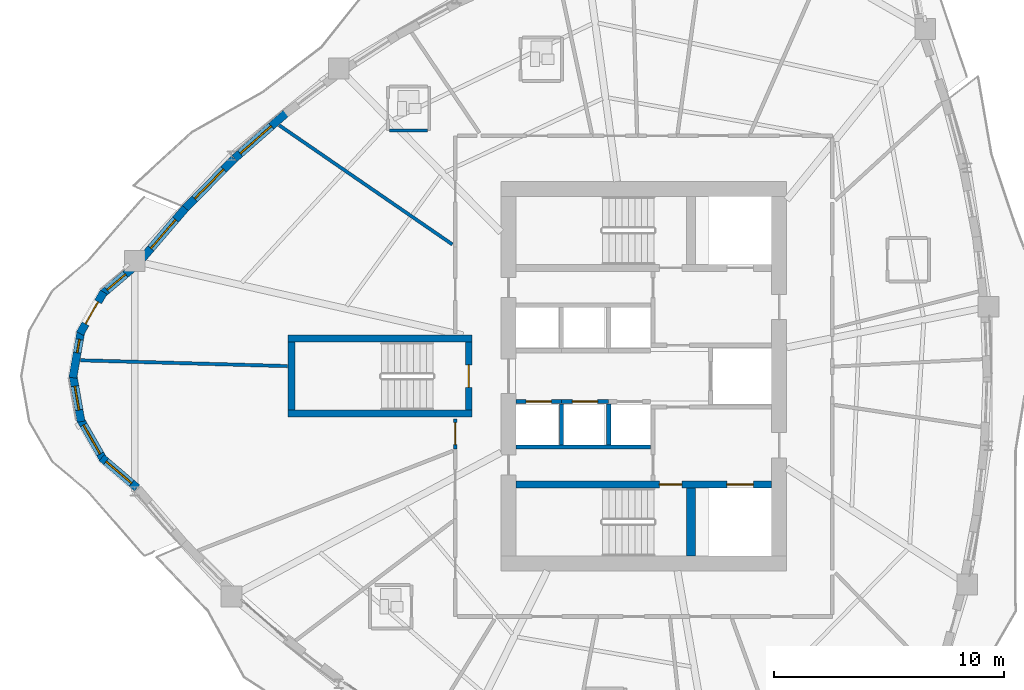
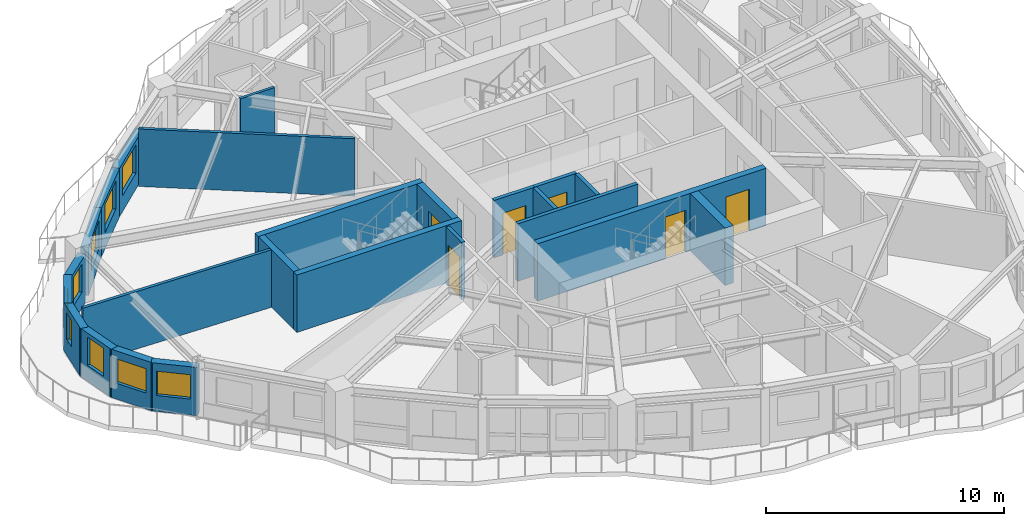
# One storey, part 6 of 15: 24 walls, 8 windows, 7 doors, 15 openings.
"""IFC4 building model written with IfcOpenShell, lengths in metres."""

from ifc_helpers import new_model, si_unit, direction, frame, frame_2d, origin, place, context, subcontext, project, spatial, rectangle, extrude, source, transform, mapped, material, layer, layer_set, type_object, element, fill, save


model = new_model("IFC4")

# Units and contexts
model_context = context("Model", 3, precision=1e-05, world=origin(), true_north=direction((0.0, 1.0)))
body_context = subcontext(model_context, "Body", "Model", "MODEL_VIEW")
ifc_project = project(units=[si_unit("LENGTHUNIT", "METRE"), si_unit("AREAUNIT", "SQUARE_METRE"), si_unit("VOLUMEUNIT", "CUBIC_METRE"), si_unit("PLANEANGLEUNIT", "RADIAN"), si_unit("MASSUNIT", "GRAM", prefix="KILO")], contexts=[model_context])

# Site, building, storey
site_placement = place(None, origin())
site = spatial("IfcSite", under=ifc_project, at=site_placement, CompositionType="ELEMENT")
building_placement = place(site_placement, origin())
building = spatial("IfcBuilding", under=site, at=building_placement, Name="Qafzar Sky-Pleat Residences", CompositionType="ELEMENT")
storey_placement = place(building_placement, frame((0.0, 0.0, 70.39990234375)))
storey = spatial("IfcBuildingStorey", under=building, at=storey_placement, Name="L20", CompositionType="ELEMENT", Elevation=70.39990234375)

# Wall, opening, door
ifc_material_1 = material(Name="Acoustic gypsum plasterboard partition", Category="gypsum")
ifc_layer_1 = layer(ifc_material_1, 0.159912109375)
ifc_layer_set_1 = layer_set([ifc_layer_1], Name="Acoustic gypsum plasterboard partition")
wall_type_1 = type_object("IfcWallType", Name="PART-COR-160", PredefinedType="PARTITIONING", material=ifc_layer_set_1)
wall_1_placement = place(storey_placement, frame((22.169921875, 22.8291015625, 0.0), z_axis=(0.0, 0.0, 1.0), x_axis=(0.0, 1.0, 0.0)))
wall_1 = element("IfcWall", 1, at=wall_1_placement, inside=storey, type_object=wall_type_1, Name="L20 Partition Wall PART-L20-PW-024", PredefinedType="PARTITIONING", context=body_context, shape_type="SweptSolid", body=[
    extrude(rectangle(XDim=1.32080078125, YDim=0.159912109375, at=frame_2d((0.660400390625, 0.0))), origin(), (0.0, 0.0, 1.0), 2.9501953125),
])
opening_1_placement = place(wall_1_placement, frame((0.198486328125, 0.0, 0.0)))
opening_1 = element("IfcOpeningElement", 2, at=opening_1_placement, cuts=wall_1, Name="Opening ID-06", PredefinedType="OPENING", context=body_context, shape_type="SweptSolid", body=[
    extrude(rectangle(XDim=0.9599609375, YDim=2.10009765625, at=frame_2d((0.47998046875, 1.050048828125))), frame((0.0, 0.08984375, 0.0), z_axis=(0.0, -1.0, 0.0), x_axis=(1.0, 0.0, 0.0)), (0.0, 0.0, 1.0), 0.179931640625),
])
ifc_material_2 = material(Name="Timber-faced fire door", Category="wood")
door_type_1 = type_object("IfcDoorType", Name="DR-STD-960", OperationType="NOTDEFINED", PredefinedType="DOOR", material=ifc_material_2)
shared_shape_1 = source(origin(), body_context, "Body", "SweptSolid", [
    extrude(rectangle(XDim=0.9599609375, YDim=2.10009765625, at=frame_2d((0.47998046875, 1.050048828125))), frame((0.0, 0.02490234375, 0.0), z_axis=(0.0, -1.0, 0.0), x_axis=(1.0, 0.0, 0.0)), (0.0, 0.0, 1.0), 0.050048828125),
])
door_1_placement = place(opening_1_placement, origin())
door_1 = element("IfcDoor", 3, at=door_1_placement, inside=storey, type_object=door_type_1, Name="L20 Faculty Research Office Door", OperationType="SINGLE_SWING_RIGHT", OverallHeight=2.10009765625, OverallWidth=0.9599609375, PredefinedType="DOOR", context=body_context, shape_type="MappedRepresentation", body=[
    mapped(shared_shape_1, transform((0.0, 0.0, 0.0), x_axis=(1.0, 0.0, 0.0), y_axis=(0.0, 1.0, 0.0), z_axis=(0.0, 0.0, 1.0), scale=1.0)),
])
fill(opening_1, door_1)

# Wall
ifc_material_3 = material(Name="Concrete blockwork partition", Category="masonry")
ifc_layer_2 = layer(ifc_material_3, 0.179931640625)
ifc_layer_set_2 = layer_set([ifc_layer_2], Name="Concrete blockwork partition")
wall_type_2 = type_object("IfcWallType", Name="PART-SHAFT-180", PredefinedType="PARTITIONING", material=ifc_layer_set_2)
wall_2_placement = place(storey_placement, frame((24.81005859375, 22.919921875, 0.0), z_axis=(0.0, 0.0, 1.0), x_axis=(1.0, 0.0, 0.0)))
element("IfcWall", 4, at=wall_2_placement, inside=storey, type_object=wall_type_2, Name="L20 Partition Wall PART-L20-P13-S", PredefinedType="PARTITIONING", context=body_context, shape_type="SweptSolid", body=[
    extrude(rectangle(XDim=5.83984375, YDim=0.179931640625, at=frame_2d((2.919921875, 0.0))), origin(), (0.0, 0.0, 1.0), 2.9501953125),
])

# Wall, opening, door
wall_3_placement = place(storey_placement, frame((24.81005859375, 24.89990234375, 0.0), z_axis=(0.0, 0.0, 1.0), x_axis=(1.0, 0.0, 0.0)))
wall_3 = element("IfcWall", 5, at=wall_3_placement, inside=storey, type_object=wall_type_2, Name="L20 Partition Wall PART-L20-P1-N", PredefinedType="PARTITIONING", context=body_context, shape_type="SweptSolid", body=[
    extrude(rectangle(XDim=1.96484375, YDim=0.179931640625, at=frame_2d((0.982421875, 0.0))), origin(), (0.0, 0.0, 1.0), 2.9501953125),
])
opening_2_placement = place(wall_3_placement, frame((0.4326171875, 0.0, 0.0)))
opening_2 = element("IfcOpeningElement", 6, at=opening_2_placement, cuts=wall_3, Name="Opening LD-01", PredefinedType="OPENING", context=body_context, shape_type="SweptSolid", body=[
    extrude(rectangle(XDim=1.10009765625, YDim=2.14990234375, at=frame_2d((0.550048828125, 1.074951171875))), frame((0.0, 0.10009765625, 0.0), z_axis=(0.0, -1.0, 0.0), x_axis=(1.0, 0.0, 0.0)), (0.0, 0.0, 1.0), 0.199951171875),
])
ifc_material_4 = material(Name="Stainless steel sliding landing door", Category="steel")
door_type_2 = type_object("IfcDoorType", Name="DR-LIFT-P", OperationType="DOUBLE_DOOR_SLIDING", PredefinedType="DOOR", material=ifc_material_4)
shared_shape_2 = source(origin(), body_context, "Body", "SweptSolid", [
    extrude(rectangle(XDim=1.10009765625, YDim=2.14990234375, at=frame_2d((0.550048828125, 1.074951171875))), frame((0.0, 0.02490234375, 0.0), z_axis=(0.0, -1.0, 0.0), x_axis=(1.0, 0.0, 0.0)), (0.0, 0.0, 1.0), 0.050048828125),
])
door_2_placement = place(opening_2_placement, origin())
door_2 = element("IfcDoor", 7, at=door_2_placement, inside=storey, type_object=door_type_2, Name="L20 Passenger Lift P1 Landing Door", OperationType="DOUBLE_DOOR_SLIDING", OverallHeight=2.14990234375, OverallWidth=1.10009765625, PredefinedType="DOOR", context=body_context, shape_type="MappedRepresentation", body=[
    mapped(shared_shape_2, transform((0.0, 0.0, 0.0), x_axis=(1.0, 0.0, 0.0), y_axis=(0.0, 1.0, 0.0), z_axis=(0.0, 0.0, 1.0), scale=1.0)),
])
fill(opening_2, door_2)

wall_4_placement = place(storey_placement, frame((26.77490234375, 24.89990234375, 0.0), z_axis=(0.0, 0.0, 1.0), x_axis=(1.0, 0.0, 0.0)))
wall_4 = element("IfcWall", 8, at=wall_4_placement, inside=storey, type_object=wall_type_2, Name="L20 Partition Wall PART-L20-P2-N", PredefinedType="PARTITIONING", context=body_context, shape_type="SweptSolid", body=[
    extrude(rectangle(XDim=2.050048828125, YDim=0.179931640625, at=frame_2d((1.02490234375, 0.0))), origin(), (0.0, 0.0, 1.0), 2.9501953125),
])
opening_3_placement = place(wall_4_placement, frame((0.47509765625, 0.0, 0.0)))
opening_3 = element("IfcOpeningElement", 9, at=opening_3_placement, cuts=wall_4, Name="Opening LD-01", PredefinedType="OPENING", context=body_context, shape_type="SweptSolid", body=[
    extrude(rectangle(XDim=1.10009765625, YDim=2.14990234375, at=frame_2d((0.550048828125, 1.074951171875))), frame((0.0, 0.10009765625, 0.0), z_axis=(0.0, -1.0, 0.0), x_axis=(1.0, 0.0, 0.0)), (0.0, 0.0, 1.0), 0.199951171875),
])
door_3_placement = place(opening_3_placement, origin())
door_3 = element("IfcDoor", 10, at=door_3_placement, inside=storey, type_object=door_type_2, Name="L20 Passenger Lift P2 Landing Door", OperationType="DOUBLE_DOOR_SLIDING", OverallHeight=2.14990234375, OverallWidth=1.10009765625, PredefinedType="DOOR", context=body_context, shape_type="MappedRepresentation", body=[
    mapped(shared_shape_2, transform((0.0, 0.0, 0.0), x_axis=(1.0, 0.0, 0.0), y_axis=(0.0, 1.0, 0.0), z_axis=(0.0, 0.0, 1.0), scale=1.0)),
])
fill(opening_3, door_3)

# Walls
for number, where, z_axis, x_axis, name in (
    (11, (26.77490234375, 23.02001953125, 0.0), (0.0, 0.0, 1.0), (0.0, 1.0, 0.0), "L20 Partition Wall PART-L20-P13-DIV-1"),
    (12, (28.824951171875, 23.02001953125, 0.0), (0.0, 0.0, 1.0), (0.0, 1.0, 0.0), "L20 Partition Wall PART-L20-P13-DIV-2"),
):
    element("IfcWall", number, at=place(storey_placement, frame(where, z_axis=z_axis, x_axis=x_axis)), inside=storey, type_object=wall_type_2, Name=name, PredefinedType="PARTITIONING", context=body_context, shape_type="SweptSolid", body=[
        extrude(rectangle(XDim=1.780029296875, YDim=0.179931640625, at=frame_2d((0.89013671875, 0.0))), origin(), (0.0, 0.0, 1.0), 2.9501953125),
    ])
ifc_layer_3 = layer(ifc_material_1, 0.14501953125)
ifc_layer_set_3 = layer_set([ifc_layer_3], Name="Acoustic gypsum plasterboard partition")
wall_type_3 = type_object("IfcWallType", Name="PART-UNIT-145", PredefinedType="PARTITIONING", material=ifc_layer_set_3)
wall_5_placement = place(storey_placement, frame((14.527099609375, 36.88623046875, 0.0), z_axis=(0.0, 0.0, 1.0), x_axis=(0.823849772282, -0.566808215106, 0.0)))
element("IfcWall", 13, at=wall_5_placement, inside=storey, type_object=wall_type_3, Name="L20 Partition Wall PART-L20-PW-028", PredefinedType="PARTITIONING", context=body_context, shape_type="SweptSolid", body=[
    extrude(rectangle(XDim=9.1220703125, YDim=0.14501953125, at=frame_2d((4.56103515625, 0.0))), origin(), (0.0, 0.0, 1.0), 2.9501953125),
])
wall_6_placement = place(storey_placement, frame((5.8955078125, 26.688232421875, 0.0), z_axis=(0.0, 0.0, 1.0), x_axis=(0.999604843423, -0.028109731489, 0.0)))
element("IfcWall", 14, at=wall_6_placement, inside=storey, type_object=wall_type_3, Name="L20 Partition Wall PART-L20-PW-030", PredefinedType="PARTITIONING", context=body_context, shape_type="SweptSolid", body=[
    extrude(rectangle(XDim=8.998046875, YDim=0.14501953125, at=frame_2d((4.4990234375, 0.0))), origin(), (0.0, 0.0, 1.0), 2.9501953125),
])
ifc_material_5 = material(Name="Moisture-resistant gypsum partition", Category="gypsum")
ifc_layer_4 = layer(ifc_material_5, 0.1298828125)
ifc_layer_set_4 = layer_set([ifc_layer_4], Name="Moisture-resistant gypsum partition")
wall_type_4 = type_object("IfcWallType", Name="PART-WET-130", PredefinedType="PARTITIONING", material=ifc_layer_set_4)
wall_7_placement = place(storey_placement, frame((19.31005859375, 36.660888671875, 0.0), z_axis=(0.0, 0.0, 1.0), x_axis=(1.0, 0.0, 0.0)))
element("IfcWall", 15, at=wall_7_placement, inside=storey, type_object=wall_type_4, Name="L20 Partition Wall PART-L20-PW-057", PredefinedType="PARTITIONING", context=body_context, shape_type="SweptSolid", body=[
    extrude(rectangle(XDim=1.654052734375, YDim=0.1298828125, at=frame_2d((0.8271484375, 0.0))), origin(), (0.0, 0.0, 1.0), 2.9501953125),
])

# Wall, opening, window
ifc_material_6 = material(Name="Precast concrete C40/50 with honed Riyadh limestone", Category="concrete")
ifc_layer_5 = layer(ifc_material_6, 0.35009765625)
ifc_layer_set_5 = layer_set([ifc_layer_5], Name="Precast concrete C40/50 with honed Riyadh limestone")
wall_type_5 = type_object("IfcWallType", Name="WALL-EXT-350", PredefinedType="SOLIDWALL", material=ifc_layer_set_5)
wall_8_placement = place(storey_placement, frame((8.197998046875, 30.71728515625, 0.0), z_axis=(0.0, 0.0, 1.0), x_axis=(-0.761176639947, -0.648544618973, 0.0)))
wall_8 = element("IfcWall", 16, at=wall_8_placement, inside=storey, type_object=wall_type_5, Name="L20 Limestone Facade Wall 1", PredefinedType="SOLIDWALL", context=body_context, shape_type="SweptSolid", body=[
    extrude(rectangle(XDim=1.81005859375, YDim=0.35009765625, at=frame_2d((0.905029296875, 0.0))), origin(), (0.0, 0.0, 1.0), 2.47998046875),
])
opening_4_placement = place(wall_8_placement, frame((0.455078125, 0.0, 0.820068359375)))
opening_4 = element("IfcOpeningElement", 17, at=opening_4_placement, cuts=wall_8, Name="Opening WN-06", PredefinedType="OPENING", context=body_context, shape_type="SweptSolid", body=[
    extrude(rectangle(XDim=1.050048828125, YDim=1.449951171875, at=frame_2d((0.52490234375, 0.72509765625))), frame((0.0, 0.18505859375, 0.0), z_axis=(0.0, -1.0, 0.0), x_axis=(1.0, 0.0, 0.0)), (0.0, 0.0, 1.0), 0.3701171875),
])
ifc_material_7 = material(Name="Solar-control low-E glass in bronze aluminium frame", Category="glass")
window_type_1 = type_object("IfcWindowType", Name="WIN-06", PartitioningType="SINGLE_PANEL", PredefinedType="WINDOW", material=ifc_material_7)
shared_shape_3 = source(origin(), body_context, "Body", "SweptSolid", [
    extrude(rectangle(XDim=1.050048828125, YDim=1.449951171875, at=frame_2d((0.52490234375, 0.72509765625))), frame((0.0, 0.030029296875, 0.0), z_axis=(0.0, -1.0, 0.0), x_axis=(1.0, 0.0, 0.0)), (0.0, 0.0, 1.0), 0.06005859375),
])
window_1_placement = place(opening_4_placement, origin())
window_1 = element("IfcWindow", 18, at=window_1_placement, inside=storey, type_object=window_type_1, Name="L20 Punched Facade Window 01", OverallHeight=1.449951171875, OverallWidth=1.050048828125, PartitioningType="SINGLE_PANEL", PredefinedType="WINDOW", context=body_context, shape_type="MappedRepresentation", body=[
    mapped(shared_shape_3, transform((0.0, 0.0, 0.0), x_axis=(1.0, 0.0, 0.0), y_axis=(0.0, 1.0, 0.0), z_axis=(0.0, 0.0, 1.0), scale=1.0)),
])
fill(opening_4, window_1)

# Wall, opening, door
wall_9_placement = place(storey_placement, frame((6.906494140625, 29.6474609375, 0.0), z_axis=(0.0, 0.0, 1.0), x_axis=(-0.496037473582, -0.868301114132, 0.0)))
wall_9 = element("IfcWall", 19, at=wall_9_placement, inside=storey, type_object=wall_type_5, Name="L20 Limestone Facade Wall 2", PredefinedType="SOLIDWALL", context=body_context, shape_type="SweptSolid", body=[
    extrude(rectangle(XDim=2.072998046875, YDim=0.35009765625, at=frame_2d((1.03662109375, 0.0))), origin(), (0.0, 0.0, 1.0), 2.47998046875),
])
opening_5_placement = place(wall_9_placement, frame((0.486572265625, 0.0, 0.0)))
opening_5 = element("IfcOpeningElement", 20, at=opening_5_placement, cuts=wall_9, Name="Opening ED-06", PredefinedType="OPENING", context=body_context, shape_type="SweptSolid", body=[
    extrude(rectangle(XDim=1.10009765625, YDim=2.10009765625, at=frame_2d((0.550048828125, 1.050048828125))), frame((0.0, 0.18505859375, 0.0), z_axis=(0.0, -1.0, 0.0), x_axis=(1.0, 0.0, 0.0)), (0.0, 0.0, 1.0), 0.3701171875),
])
ifc_material_8 = material(Name="Glazed bronze aluminium door", Category="aluminium")
door_type_3 = type_object("IfcDoorType", Name="DR-BAL-1100", OperationType="NOTDEFINED", PredefinedType="DOOR", material=ifc_material_8)
shared_shape_4 = source(origin(), body_context, "Body", "SweptSolid", [
    extrude(rectangle(XDim=1.10009765625, YDim=2.10009765625, at=frame_2d((0.550048828125, 1.050048828125))), frame((0.0, 0.02490234375, 0.0), z_axis=(0.0, -1.0, 0.0), x_axis=(1.0, 0.0, 0.0)), (0.0, 0.0, 1.0), 0.050048828125),
])
door_4_placement = place(opening_5_placement, origin())
door_4 = element("IfcDoor", 21, at=door_4_placement, inside=storey, type_object=door_type_3, Name="L20 Terrace Glazed Door 1", OperationType="SINGLE_SWING_RIGHT", OverallHeight=2.10009765625, OverallWidth=1.10009765625, PredefinedType="DOOR", context=body_context, shape_type="MappedRepresentation", body=[
    mapped(shared_shape_4, transform((0.0, 0.0, 0.0), x_axis=(1.0, 0.0, 0.0), y_axis=(0.0, 1.0, 0.0), z_axis=(0.0, 0.0, 1.0), scale=1.0)),
])
fill(opening_5, door_4)

# Wall, opening, window
wall_10_placement = place(storey_placement, frame((5.923828125, 27.974609375, 0.0), z_axis=(0.0, 0.0, 1.0), x_axis=(-0.172166087538, -0.985067935881, 0.0)))
wall_10 = element("IfcWall", 22, at=wall_10_placement, inside=storey, type_object=wall_type_5, Name="L20 Limestone Facade Wall 3", PredefinedType="SOLIDWALL", context=body_context, shape_type="SweptSolid", body=[
    extrude(rectangle(XDim=2.0732421875, YDim=0.35009765625, at=frame_2d((1.03662109375, 0.0))), origin(), (0.0, 0.0, 1.0), 2.47998046875),
])
opening_6_placement = place(wall_10_placement, frame((0.387939453125, 0.0, 0.820068359375)))
opening_6 = element("IfcOpeningElement", 23, at=opening_6_placement, cuts=wall_10, Name="Opening WN-17", PredefinedType="OPENING", context=body_context, shape_type="SweptSolid", body=[
    extrude(rectangle(XDim=0.580078125, YDim=1.35009765625, at=frame_2d((0.2900390625, 0.675048828125))), frame((0.0, 0.18505859375, 0.0), z_axis=(0.0, -1.0, 0.0), x_axis=(1.0, 0.0, 0.0)), (0.0, 0.0, 1.0), 0.3701171875),
])
window_type_2 = type_object("IfcWindowType", Name="WIN-17", PartitioningType="SINGLE_PANEL", PredefinedType="WINDOW", material=ifc_material_7)
shared_shape_5 = source(origin(), body_context, "Body", "SweptSolid", [
    extrude(rectangle(XDim=0.580078125, YDim=1.35009765625, at=frame_2d((0.2900390625, 0.675048828125))), frame((0.0, 0.030029296875, 0.0), z_axis=(0.0, -1.0, 0.0), x_axis=(1.0, 0.0, 0.0)), (0.0, 0.0, 1.0), 0.06005859375),
])
window_2_placement = place(opening_6_placement, origin())
window_2 = element("IfcWindow", 24, at=window_2_placement, inside=storey, type_object=window_type_2, Name="L20 Punched Facade Window 03", OverallHeight=1.35009765625, OverallWidth=0.580078125, PartitioningType="SINGLE_PANEL", PredefinedType="WINDOW", context=body_context, shape_type="MappedRepresentation", body=[
    mapped(shared_shape_5, transform((0.0, 0.0, 0.0), x_axis=(1.0, 0.0, 0.0), y_axis=(0.0, 1.0, 0.0), z_axis=(0.0, 0.0, 1.0), scale=1.0)),
])
fill(opening_6, window_2)

wall_11_placement = place(storey_placement, frame((5.56689453125, 26.067626953125, 0.0), z_axis=(0.0, 0.0, 1.0), x_axis=(0.172166087538, -0.985067935881, 0.0)))
wall_11 = element("IfcWall", 25, at=wall_11_placement, inside=storey, type_object=wall_type_5, Name="L20 Limestone Facade Wall 4", PredefinedType="SOLIDWALL", context=body_context, shape_type="SweptSolid", body=[
    extrude(rectangle(XDim=2.0732421875, YDim=0.35009765625, at=frame_2d((1.03662109375, 0.0))), origin(), (0.0, 0.0, 1.0), 2.47998046875),
])
opening_7_placement = place(wall_11_placement, frame((0.511474609375, 0.0, 0.820068359375)))
opening_7 = element("IfcOpeningElement", 26, at=opening_7_placement, cuts=wall_11, Name="Opening WN-06", PredefinedType="OPENING", context=body_context, shape_type="SweptSolid", body=[
    extrude(rectangle(XDim=1.050048828125, YDim=1.449951171875, at=frame_2d((0.52490234375, 0.72509765625))), frame((0.0, 0.18505859375, 0.0), z_axis=(0.0, -1.0, 0.0), x_axis=(1.0, 0.0, 0.0)), (0.0, 0.0, 1.0), 0.3701171875),
])
window_3_placement = place(opening_7_placement, origin())
window_3 = element("IfcWindow", 27, at=window_3_placement, inside=storey, type_object=window_type_1, Name="L20 Punched Facade Window 04", OverallHeight=1.449951171875, OverallWidth=1.050048828125, PartitioningType="SINGLE_PANEL", PredefinedType="WINDOW", context=body_context, shape_type="MappedRepresentation", body=[
    mapped(shared_shape_3, transform((0.0, 0.0, 0.0), x_axis=(1.0, 0.0, 0.0), y_axis=(0.0, 1.0, 0.0), z_axis=(0.0, 0.0, 1.0), scale=1.0)),
])
fill(opening_7, window_3)

wall_12_placement = place(storey_placement, frame((5.878173828125, 24.152587890625, 0.0), z_axis=(0.0, 0.0, 1.0), x_axis=(0.496037473582, -0.868301114132, 0.0)))
wall_12 = element("IfcWall", 28, at=wall_12_placement, inside=storey, type_object=wall_type_5, Name="L20 Limestone Facade Wall 5", PredefinedType="SOLIDWALL", context=body_context, shape_type="SweptSolid", body=[
    extrude(rectangle(XDim=2.072998046875, YDim=0.35009765625, at=frame_2d((1.03662109375, 0.0))), origin(), (0.0, 0.0, 1.0), 2.47998046875),
])
opening_8_placement = place(wall_12_placement, frame((0.3115234375, 0.0, 0.820068359375)))
opening_8 = element("IfcOpeningElement", 29, at=opening_8_placement, cuts=wall_12, Name="Opening WN-15", PredefinedType="OPENING", context=body_context, shape_type="SweptSolid", body=[
    extrude(rectangle(XDim=1.449951171875, YDim=1.25, at=frame_2d((0.72509765625, 0.625))), frame((0.0, 0.18505859375, 0.0), z_axis=(0.0, -1.0, 0.0), x_axis=(1.0, 0.0, 0.0)), (0.0, 0.0, 1.0), 0.3701171875),
])
window_type_3 = type_object("IfcWindowType", Name="WIN-15", PartitioningType="SINGLE_PANEL", PredefinedType="WINDOW", material=ifc_material_7)
shared_shape_6 = source(origin(), body_context, "Body", "SweptSolid", [
    extrude(rectangle(XDim=1.449951171875, YDim=1.25, at=frame_2d((0.72509765625, 0.625))), frame((0.0, 0.030029296875, 0.0), z_axis=(0.0, -1.0, 0.0), x_axis=(1.0, 0.0, 0.0)), (0.0, 0.0, 1.0), 0.06005859375),
])
window_4_placement = place(opening_8_placement, origin())
window_4 = element("IfcWindow", 30, at=window_4_placement, inside=storey, type_object=window_type_3, Name="L20 Punched Facade Window 05", OverallHeight=1.25, OverallWidth=1.449951171875, PartitioningType="SINGLE_PANEL", PredefinedType="WINDOW", context=body_context, shape_type="MappedRepresentation", body=[
    mapped(shared_shape_6, transform((0.0, 0.0, 0.0), x_axis=(1.0, 0.0, 0.0), y_axis=(0.0, 1.0, 0.0), z_axis=(0.0, 0.0, 1.0), scale=1.0)),
])
fill(opening_8, window_4)

wall_13_placement = place(storey_placement, frame((6.8203125, 22.45654296875, 0.0), z_axis=(0.0, 0.0, 1.0), x_axis=(0.76114353683, -0.648583469063, 0.0)))
wall_13 = element("IfcWall", 31, at=wall_13_placement, inside=storey, type_object=wall_type_5, Name="L20 Limestone Facade Wall 6", PredefinedType="SOLIDWALL", context=body_context, shape_type="SweptSolid", body=[
    extrude(rectangle(XDim=2.014892578125, YDim=0.35009765625, at=frame_2d((1.00732421875, 0.0))), origin(), (0.0, 0.0, 1.0), 2.47998046875),
])
opening_9_placement = place(wall_13_placement, frame((0.25244140625, 0.0, 0.820068359375)))
opening_9 = element("IfcOpeningElement", 32, at=opening_9_placement, cuts=wall_13, Name="Opening WN-15", PredefinedType="OPENING", context=body_context, shape_type="SweptSolid", body=[
    extrude(rectangle(XDim=1.449951171875, YDim=1.25, at=frame_2d((0.72509765625, 0.625))), frame((0.0, 0.18505859375, 0.0), z_axis=(0.0, -1.0, 0.0), x_axis=(1.0, 0.0, 0.0)), (0.0, 0.0, 1.0), 0.3701171875),
])
window_5_placement = place(opening_9_placement, origin())
window_5 = element("IfcWindow", 33, at=window_5_placement, inside=storey, type_object=window_type_3, Name="L20 Punched Facade Window 06", OverallHeight=1.25, OverallWidth=1.449951171875, PartitioningType="SINGLE_PANEL", PredefinedType="WINDOW", context=body_context, shape_type="MappedRepresentation", body=[
    mapped(shared_shape_6, transform((0.0, 0.0, 0.0), x_axis=(1.0, 0.0, 0.0), y_axis=(0.0, 1.0, 0.0), z_axis=(0.0, 0.0, 1.0), scale=1.0)),
])
fill(opening_9, window_5)

wall_14_placement = place(storey_placement, frame((14.864990234375, 37.44970703125, 0.0), z_axis=(0.0, 0.0, 1.0), x_axis=(-0.751505335107, -0.659727012715, 0.0)))
wall_14 = element("IfcWall", 34, at=wall_14_placement, inside=storey, type_object=wall_type_5, Name="L20 Limestone Facade Wall 46", PredefinedType="SOLIDWALL", context=body_context, shape_type="SweptSolid", body=[
    extrude(rectangle(XDim=3.037841796875, YDim=0.35009765625, at=frame_2d((1.51904296875, 0.0))), origin(), (0.0, 0.0, 1.0), 2.47998046875),
])
opening_10_placement = place(wall_14_placement, frame((0.90625, 0.0, 0.820068359375)))
opening_10 = element("IfcOpeningElement", 35, at=opening_10_placement, cuts=wall_14, Name="Opening WN-01", PredefinedType="OPENING", context=body_context, shape_type="SweptSolid", body=[
    extrude(rectangle(XDim=1.800048828125, YDim=1.449951171875, at=frame_2d((0.89990234375, 0.72509765625))), frame((0.0, 0.18505859375, 0.0), z_axis=(0.0, -1.0, 0.0), x_axis=(1.0, 0.0, 0.0)), (0.0, 0.0, 1.0), 0.3701171875),
])
window_type_4 = type_object("IfcWindowType", Name="WIN-01", PartitioningType="DOUBLE_PANEL_VERTICAL", PredefinedType="WINDOW", material=ifc_material_7)
shared_shape_7 = source(origin(), body_context, "Body", "SweptSolid", [
    extrude(rectangle(XDim=1.800048828125, YDim=1.449951171875, at=frame_2d((0.89990234375, 0.72509765625))), frame((0.0, 0.030029296875, 0.0), z_axis=(0.0, -1.0, 0.0), x_axis=(1.0, 0.0, 0.0)), (0.0, 0.0, 1.0), 0.06005859375),
])
window_6_placement = place(opening_10_placement, origin())
window_6 = element("IfcWindow", 36, at=window_6_placement, inside=storey, type_object=window_type_4, Name="L20 Punched Facade Window 46-2", OverallHeight=1.449951171875, OverallWidth=1.800048828125, PartitioningType="SINGLE_PANEL", PredefinedType="WINDOW", context=body_context, shape_type="MappedRepresentation", body=[
    mapped(shared_shape_7, transform((0.0, 0.0, 0.0), x_axis=(1.0, 0.0, 0.0), y_axis=(0.0, 1.0, 0.0), z_axis=(0.0, 0.0, 1.0), scale=1.0)),
])
fill(opening_10, window_6)

wall_15_placement = place(storey_placement, frame((12.56201171875, 35.4267578125, 0.0), z_axis=(0.0, 0.0, 1.0), x_axis=(-0.701949387032, -0.712226830473, 0.0)))
wall_15 = element("IfcWall", 37, at=wall_15_placement, inside=storey, type_object=wall_type_5, Name="L20 Limestone Facade Wall 47", PredefinedType="SOLIDWALL", context=body_context, shape_type="SweptSolid", body=[
    extrude(rectangle(XDim=3.088134765625, YDim=0.35009765625, at=frame_2d((1.5439453125, 0.0))), origin(), (0.0, 0.0, 1.0), 2.47998046875),
])
opening_11_placement = place(wall_15_placement, frame((0.634033203125, 0.0, 0.820068359375)))
opening_11 = element("IfcOpeningElement", 38, at=opening_11_placement, cuts=wall_15, Name="Opening WN-01", PredefinedType="OPENING", context=body_context, shape_type="SweptSolid", body=[
    extrude(rectangle(XDim=1.800048828125, YDim=1.449951171875, at=frame_2d((0.89990234375, 0.72509765625))), frame((0.0, 0.18505859375, 0.0), z_axis=(0.0, -1.0, 0.0), x_axis=(1.0, 0.0, 0.0)), (0.0, 0.0, 1.0), 0.3701171875),
])
window_7_placement = place(opening_11_placement, origin())
window_7 = element("IfcWindow", 39, at=window_7_placement, inside=storey, type_object=window_type_4, Name="L20 Punched Facade Window 47", OverallHeight=1.449951171875, OverallWidth=1.800048828125, PartitioningType="SINGLE_PANEL", PredefinedType="WINDOW", context=body_context, shape_type="MappedRepresentation", body=[
    mapped(shared_shape_7, transform((0.0, 0.0, 0.0), x_axis=(1.0, 0.0, 0.0), y_axis=(0.0, 1.0, 0.0), z_axis=(0.0, 0.0, 1.0), scale=1.0)),
])
fill(opening_11, window_7)

wall_16_placement = place(storey_placement, frame((10.4541015625, 33.292236328125, 0.0), z_axis=(0.0, 0.0, 1.0), x_axis=(-0.650791373456, -0.759256602365, 0.0)))
wall_16 = element("IfcWall", 40, at=wall_16_placement, inside=storey, type_object=wall_type_5, Name="L20 Limestone Facade Wall 48", PredefinedType="SOLIDWALL", context=body_context, shape_type="SweptSolid", body=[
    extrude(rectangle(XDim=2.94873046875, YDim=0.35009765625, at=frame_2d((1.474365234375, 0.0))), origin(), (0.0, 0.0, 1.0), 2.47998046875),
])
opening_12_placement = place(wall_16_placement, frame((0.654296875, 0.0, 0.820068359375)))
opening_12 = element("IfcOpeningElement", 41, at=opening_12_placement, cuts=wall_16, Name="Opening WN-02", PredefinedType="OPENING", context=body_context, shape_type="SweptSolid", body=[
    extrude(rectangle(XDim=1.64990234375, YDim=1.449951171875, at=frame_2d((0.824951171875, 0.72509765625))), frame((0.0, 0.18505859375, 0.0), z_axis=(0.0, -1.0, 0.0), x_axis=(1.0, 0.0, 0.0)), (0.0, 0.0, 1.0), 0.3701171875),
])
window_type_5 = type_object("IfcWindowType", Name="WIN-02", PartitioningType="DOUBLE_PANEL_VERTICAL", PredefinedType="WINDOW", material=ifc_material_7)
shared_shape_8 = source(origin(), body_context, "Body", "SweptSolid", [
    extrude(rectangle(XDim=1.64990234375, YDim=1.449951171875, at=frame_2d((0.824951171875, 0.72509765625))), frame((0.0, 0.030029296875, 0.0), z_axis=(0.0, -1.0, 0.0), x_axis=(1.0, 0.0, 0.0)), (0.0, 0.0, 1.0), 0.06005859375),
])
window_8_placement = place(opening_12_placement, origin())
window_8 = element("IfcWindow", 42, at=window_8_placement, inside=storey, type_object=window_type_5, Name="L20 Punched Facade Window 48", OverallHeight=1.449951171875, OverallWidth=1.64990234375, PartitioningType="SINGLE_PANEL", PredefinedType="WINDOW", context=body_context, shape_type="MappedRepresentation", body=[
    mapped(shared_shape_8, transform((0.0, 0.0, 0.0), x_axis=(1.0, 0.0, 0.0), y_axis=(0.0, 1.0, 0.0), z_axis=(0.0, 0.0, 1.0), scale=1.0)),
])
fill(opening_12, window_8)

# Wall, openings, doors
ifc_material_9 = material(Name="Concrete C60/75", Category="concrete")
ifc_layer_6 = layer(ifc_material_9, 0.300048828125)
ifc_layer_set_6 = layer_set([ifc_layer_6], Name="Concrete C60/75")
wall_type_6 = type_object("IfcWallType", Name="WALL-SHEAR-300", PredefinedType="SHEAR", material=ifc_layer_set_6)
wall_17_placement = place(storey_placement, frame((24.800048828125, 21.300048828125, 0.0), z_axis=(0.0, 0.0, 1.0), x_axis=(1.0, 0.0, 0.0)))
wall_17 = element("IfcWall", 43, at=wall_17_placement, inside=storey, type_object=wall_type_6, Name="L20 Stair ST1 and FF1 Shaft North Wall", PredefinedType="SHEAR", context=body_context, shape_type="SweptSolid", body=[
    extrude(rectangle(XDim=11.099853515625, YDim=0.300048828125, at=frame_2d((5.5498046875, 0.0))), origin(), (0.0, 0.0, 1.0), 2.9501953125),
])
opening_13_placement = place(wall_17_placement, frame((6.219970703125, 0.0, 0.0)))
opening_13 = element("IfcOpeningElement", 44, at=opening_13_placement, cuts=wall_17, Name="Opening ID-01", PredefinedType="OPENING", context=body_context, shape_type="SweptSolid", body=[
    extrude(rectangle(XDim=0.97998046875, YDim=2.14990234375, at=frame_2d((0.489990234375, 1.074951171875))), frame((0.0, 0.16015625, 0.0), z_axis=(0.0, -1.0, 0.0), x_axis=(1.0, 0.0, 0.0)), (0.0, 0.0, 1.0), 0.320068359375),
])
opening_14_placement = place(wall_17_placement, frame((9.14990234375, 0.0, 0.0)))
opening_14 = element("IfcOpeningElement", 45, at=opening_14_placement, cuts=wall_17, Name="Opening LD-02", PredefinedType="OPENING", context=body_context, shape_type="SweptSolid", body=[
    extrude(rectangle(XDim=1.14990234375, YDim=2.14990234375, at=frame_2d((0.574951171875, 1.074951171875))), frame((0.0, 0.16015625, 0.0), z_axis=(0.0, -1.0, 0.0), x_axis=(1.0, 0.0, 0.0)), (0.0, 0.0, 1.0), 0.320068359375),
])
door_type_4 = type_object("IfcDoorType", Name="DR-STAIR-980", OperationType="NOTDEFINED", PredefinedType="DOOR", material=ifc_material_2)
shared_shape_9 = source(origin(), body_context, "Body", "SweptSolid", [
    extrude(rectangle(XDim=0.97998046875, YDim=2.14990234375, at=frame_2d((0.489990234375, 1.074951171875))), frame((0.0, 0.02490234375, 0.0), z_axis=(0.0, -1.0, 0.0), x_axis=(1.0, 0.0, 0.0)), (0.0, 0.0, 1.0), 0.050048828125),
])
door_5_placement = place(opening_13_placement, origin())
door_5 = element("IfcDoor", 46, at=door_5_placement, inside=storey, type_object=door_type_4, Name="L20 Stair ST1 Fire Door", OperationType="SINGLE_SWING_LEFT", OverallHeight=2.14990234375, OverallWidth=0.97998046875, PredefinedType="DOOR", context=body_context, shape_type="MappedRepresentation", body=[
    mapped(shared_shape_9, transform((0.0, 0.0, 0.0), x_axis=(1.0, 0.0, 0.0), y_axis=(0.0, 1.0, 0.0), z_axis=(0.0, 0.0, 1.0), scale=1.0)),
])
fill(opening_13, door_5)
door_type_5 = type_object("IfcDoorType", Name="DR-LIFT-FF", OperationType="DOUBLE_DOOR_SLIDING", PredefinedType="DOOR", material=ifc_material_4)
shared_shape_10 = source(origin(), body_context, "Body", "SweptSolid", [
    extrude(rectangle(XDim=1.14990234375, YDim=2.14990234375, at=frame_2d((0.574951171875, 1.074951171875))), frame((0.0, 0.02490234375, 0.0), z_axis=(0.0, -1.0, 0.0), x_axis=(1.0, 0.0, 0.0)), (0.0, 0.0, 1.0), 0.050048828125),
])
door_6_placement = place(opening_14_placement, origin())
door_6 = element("IfcDoor", 47, at=door_6_placement, inside=storey, type_object=door_type_5, Name="L20 Firefighting Lift FF1 Landing Door", OperationType="DOUBLE_DOOR_SLIDING", OverallHeight=2.14990234375, OverallWidth=1.14990234375, PredefinedType="DOOR", context=body_context, shape_type="MappedRepresentation", body=[
    mapped(shared_shape_10, transform((0.0, 0.0, 0.0), x_axis=(1.0, 0.0, 0.0), y_axis=(0.0, 1.0, 0.0), z_axis=(0.0, 0.0, 1.0), scale=1.0)),
])
fill(opening_14, door_6)

# Walls
for number, where, z_axis, x_axis, name in (
    (48, (14.89990234375, 24.375, 0.0), (0.0, 0.0, 1.0), (1.0, 0.0, 0.0), "L20 ST3 wall S"),
    (49, (22.89990234375, 27.625, 0.0), (0.0, 0.0, 1.0), (-1.0, 0.0, 0.0), "L20 ST3 wall N"),
):
    element("IfcWall", number, at=place(storey_placement, frame(where, z_axis=z_axis, x_axis=x_axis)), inside=storey, type_object=wall_type_6, Name=name, PredefinedType="SHEAR", context=body_context, shape_type="SweptSolid", body=[
        extrude(rectangle(XDim=8.0, YDim=0.300048828125, at=frame_2d((4.0, 0.0))), origin(), (0.0, 0.0, 1.0), 2.9501953125),
    ])
wall_18_placement = place(storey_placement, frame((15.050048828125, 27.47509765625, 0.0), z_axis=(0.0, 0.0, 1.0), x_axis=(0.0, -1.0, 0.0)))
element("IfcWall", 50, at=wall_18_placement, inside=storey, type_object=wall_type_6, Name="L20 ST3 wall W", PredefinedType="SHEAR", context=body_context, shape_type="SweptSolid", body=[
    extrude(rectangle(XDim=2.9501953125, YDim=0.300048828125, at=frame_2d((1.47509765625, 0.0))), origin(), (0.0, 0.0, 1.0), 2.9501953125),
])

# Wall, opening, door
wall_19_placement = place(storey_placement, frame((22.75, 24.52490234375, 0.0), z_axis=(0.0, 0.0, 1.0), x_axis=(0.0, 1.0, 0.0)))
wall_19 = element("IfcWall", 51, at=wall_19_placement, inside=storey, type_object=wall_type_6, Name="L20 ST3 wall E", PredefinedType="SHEAR", context=body_context, shape_type="SweptSolid", body=[
    extrude(rectangle(XDim=2.9501953125, YDim=0.300048828125, at=frame_2d((1.47509765625, 0.0))), origin(), (0.0, 0.0, 1.0), 2.9501953125),
])
opening_15_placement = place(wall_19_placement, frame((0.985107421875, 0.0, 0.0)))
opening_15 = element("IfcOpeningElement", 52, at=opening_15_placement, cuts=wall_19, Name="Opening ID-01", PredefinedType="OPENING", context=body_context, shape_type="SweptSolid", body=[
    extrude(rectangle(XDim=0.97998046875, YDim=2.14990234375, at=frame_2d((0.489990234375, 1.074951171875))), frame((0.0, 0.16015625, 0.0), z_axis=(0.0, -1.0, 0.0), x_axis=(1.0, 0.0, 0.0)), (0.0, 0.0, 1.0), 0.320068359375),
])
door_7_placement = place(opening_15_placement, origin())
door_7 = element("IfcDoor", 53, at=door_7_placement, inside=storey, type_object=door_type_4, Name="L20 Stair ST3 Fire Door", OperationType="SINGLE_SWING_LEFT", OverallHeight=2.14990234375, OverallWidth=0.97998046875, PredefinedType="DOOR", context=body_context, shape_type="MappedRepresentation", body=[
    mapped(shared_shape_9, transform((0.0, 0.0, 0.0), x_axis=(1.0, 0.0, 0.0), y_axis=(0.0, 1.0, 0.0), z_axis=(0.0, 0.0, 1.0), scale=1.0)),
])
fill(opening_15, door_7)

# Wall
ifc_layer_7 = layer(ifc_material_9, 0.39990234375)
ifc_layer_set_7 = layer_set([ifc_layer_7], Name="Concrete C60/75")
wall_type_7 = type_object("IfcWallType", Name="WALL-SHEAR-400", PredefinedType="SHEAR", material=ifc_layer_set_7)
wall_20_placement = place(storey_placement, frame((32.39990234375, 18.199951171875, 0.0), z_axis=(0.0, 0.0, 1.0), x_axis=(0.0, 1.0, 0.0)))
element("IfcWall", 54, at=wall_20_placement, inside=storey, type_object=wall_type_7, Name="L20 Stair ST1 East Dividing Wall", PredefinedType="SHEAR", context=body_context, shape_type="SweptSolid", body=[
    extrude(rectangle(XDim=2.949951171875, YDim=0.39990234375, at=frame_2d((1.47509765625, 0.0))), origin(), (0.0, 0.0, 1.0), 2.9501953125),
])

save(model, "model.ifc")
